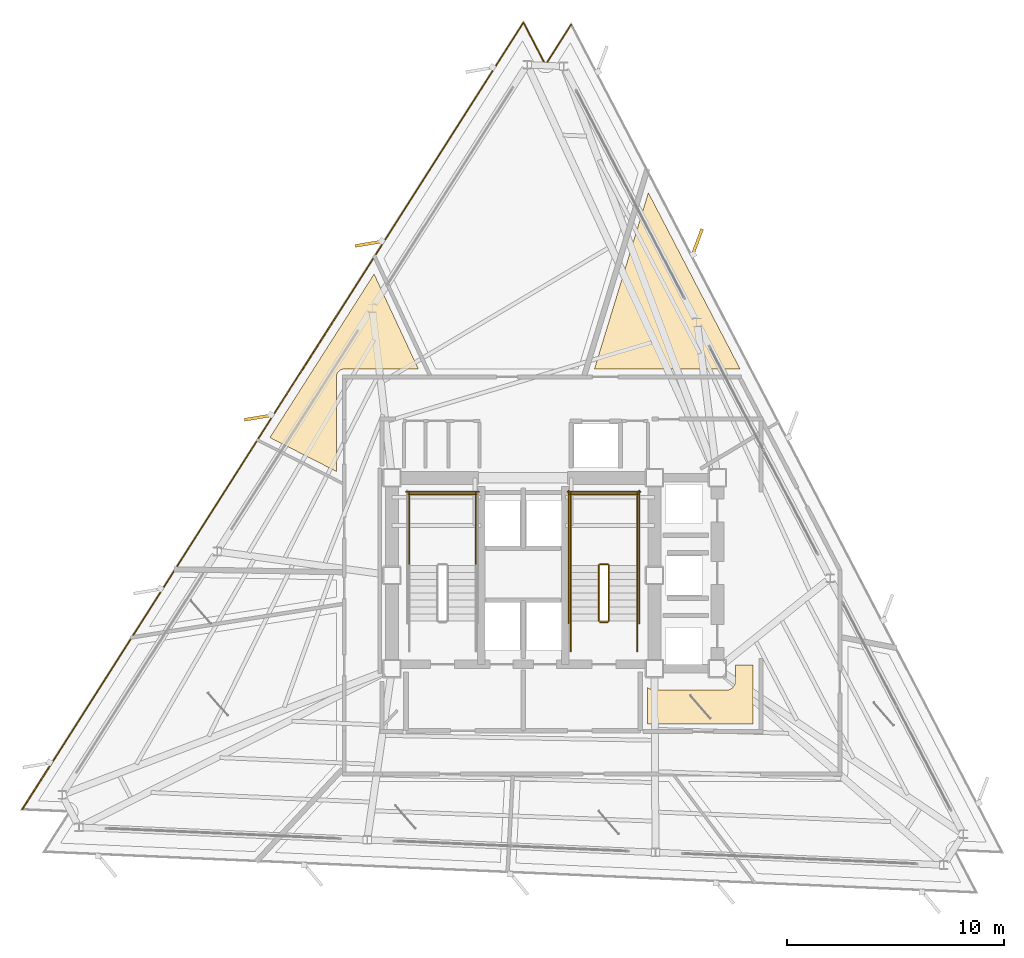
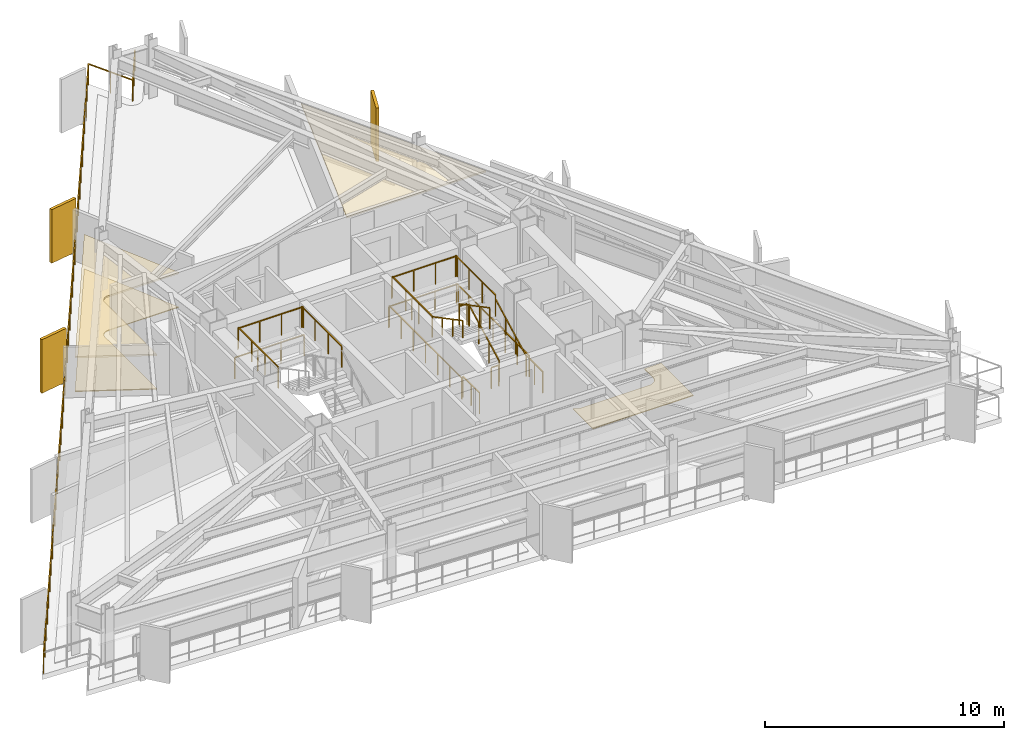
# One storey, part 11 of 12: 19 railings, 4 coverings, 3 shading devices.
"""IFC4 building model written with IfcOpenShell, lengths in metres."""

from ifc_helpers import new_model, si_unit, direction, frame, origin, origin_2d, place, context, subcontext, project, spatial, polyline, rectangle, outline, extrude, material, layer, layer_set, type_object, element, save


model = new_model("IFC4")

# Units and contexts
model_context = context("Model", 3, precision=1e-05, world=origin(), true_north=direction((0.0, 1.0)))
body_context = subcontext(model_context, "Body", "Model", "MODEL_VIEW")
ifc_project = project(units=[si_unit("LENGTHUNIT", "METRE"), si_unit("AREAUNIT", "SQUARE_METRE"), si_unit("VOLUMEUNIT", "CUBIC_METRE"), si_unit("PLANEANGLEUNIT", "RADIAN"), si_unit("MASSUNIT", "GRAM", prefix="KILO")], contexts=[model_context])

# Site, building, storey
site_placement = place(None, origin())
site = spatial("IfcSite", under=ifc_project, at=site_placement, CompositionType="ELEMENT")
building_placement = place(site_placement, origin())
building = spatial("IfcBuilding", under=site, at=building_placement, Name="Rocaltana Carrier Exchange", CompositionType="ELEMENT")
storey_placement = place(building_placement, frame((0.0, 0.0, 144.159912109375)))
storey = spatial("IfcBuildingStorey", under=building, at=storey_placement, Name="L45", CompositionType="ELEMENT", Elevation=144.159912109375)

# Coverings
ifc_material_1 = material(Name="Honed Bogota Sandstone Tile", Category="masonry")
ifc_layer_1 = layer(ifc_material_1, 0.0400390625)
ifc_layer_set_1 = layer_set([ifc_layer_1], Name="Honed Bogota Sandstone Tile")
covering_type_1 = type_object("IfcCoveringType", Name="Honed Stone Lobby Flooring 40", PredefinedType="FLOORING", material=ifc_layer_set_1)
covering_1_placement = place(storey_placement, origin())
element("IfcCovering", 1, at=covering_1_placement, inside=storey, type_object=covering_type_1, Name="L45 Peering Conference Room Finish Floor", PredefinedType="FLOORING", context=body_context, shape_type="SweptSolid", body=[
    extrude(outline(polyline([(5.739990234375, -6.840087890625), (5.739990234375, -5.161865234375), (5.748779296875, -5.170654296875), (5.760498046875, -5.18115234375), (5.78173828125, -5.198486328125), (5.794189453125, -5.2080078125), (5.817138671875, -5.22314453125), (5.83056640625, -5.231201171875), (5.85498046875, -5.244140625), (5.869140625, -5.2509765625), (5.894287109375, -5.261474609375), (5.9091796875, -5.2666015625), (5.935546875, -5.274658203125), (5.95068359375, -5.278564453125), (5.977783203125, -5.283935546875), (5.9931640625, -5.2861328125), (6.0205078125, -5.288818359375), (6.036376953125, -5.289794921875), (6.050048828125, -5.2900390625), (9.35009765625, -5.2900390625), (9.36376953125, -5.289794921875), (9.37939453125, -5.288818359375), (9.40673828125, -5.2861328125), (9.42236328125, -5.283935546875), (9.44921875, -5.278564453125), (9.464599609375, -5.274658203125), (9.49072265625, -5.2666015625), (9.505615234375, -5.261474609375), (9.531005859375, -5.2509765625), (9.545166015625, -5.244140625), (9.5693359375, -5.231201171875), (9.582763671875, -5.22314453125), (9.605712890625, -5.2080078125), (9.618408203125, -5.198486328125), (9.639404296875, -5.18115234375), (9.651123046875, -5.170654296875), (9.670654296875, -5.151123046875), (9.68115234375, -5.139404296875), (9.698486328125, -5.118408203125), (9.7080078125, -5.105712890625), (9.72314453125, -5.082763671875), (9.731201171875, -5.0693359375), (9.744140625, -5.045166015625), (9.7509765625, -5.031005859375), (9.761474609375, -5.005615234375), (9.7666015625, -4.99072265625), (9.774658203125, -4.964599609375), (9.778564453125, -4.94921875), (9.783935546875, -4.92236328125), (9.7861328125, -4.90673828125), (9.788818359375, -4.87939453125), (9.789794921875, -4.86376953125), (9.7900390625, -4.85009765625), (9.7900390625, -4.139892578125), (10.60009765625, -4.139892578125), (10.60009765625, -6.840087890625), (5.739990234375, -6.840087890625)])), origin(), (0.0, 0.0, 1.0), 0.0400390625),
])
covering_2_placement = place(storey_placement, origin())
element("IfcCovering", 2, at=covering_2_placement, inside=storey, type_object=covering_type_1, Name="L45 Client Reception Foyer Finish Floor", PredefinedType="FLOORING", context=body_context, shape_type="SweptSolid", body=[
    extrude(outline(polyline([(-6.874267578125, 13.89013671875), (-4.831787109375, 9.510009765625), (-8.25, 9.510009765625), (-8.263671875, 9.509765625), (-8.271484375, 9.50927734375), (-8.298828125, 9.506591796875), (-8.306640625, 9.50537109375), (-8.33349609375, 9.5), (-8.34130859375, 9.498291015625), (-8.36767578125, 9.490234375), (-8.375, 9.487548828125), (-8.400390625, 9.47705078125), (-8.407470703125, 9.4736328125), (-8.431640625, 9.460693359375), (-8.4384765625, 9.456787109375), (-8.461181640625, 9.44140625), (-8.467529296875, 9.436767578125), (-8.48876953125, 9.419189453125), (-8.49462890625, 9.4140625), (-8.513916015625, 9.39453125), (-8.519287109375, 9.388916015625), (-8.53662109375, 9.367431640625), (-8.54150390625, 9.361083984375), (-8.556640625, 9.33837890625), (-8.560791015625, 9.331787109375), (-8.57373046875, 9.307373046875), (-8.576904296875, 9.30029296875), (-8.58740234375, 9.27490234375), (-8.590087890625, 9.267578125), (-8.59814453125, 9.2412109375), (-8.60009765625, 9.233642578125), (-8.60546875, 9.206787109375), (-8.606689453125, 9.198974609375), (-8.609375, 9.171630859375), (-8.609619140625, 9.163818359375), (-8.610107421875, 9.14990234375), (-8.610107421875, 4.791015625), (-11.67578125, 6.353271484375), (-6.874267578125, 13.89013671875)])), origin(), (0.0, 0.0, 1.0), 0.0400390625),
])
ifc_material_2 = material(Name="Anodised Aluminium 6063-T6", Category="aluminium")
ifc_layer_2 = layer(ifc_material_2, 0.0849609375)
ifc_layer_set_2 = layer_set([ifc_layer_2], Name="Anodised Aluminium 6063-T6")
covering_type_2 = type_object("IfcCoveringType", Name="Linear Baffle Acoustic Ceiling 85", PredefinedType="CEILING", material=ifc_layer_set_2)
covering_3_placement = place(storey_placement, frame((0.0, 0.0, 1.72314453125)))
element("IfcCovering", 3, at=covering_3_placement, inside=storey, type_object=covering_type_2, Name="L45 Carrier Peering Suite Acoustic Ceiling", PredefinedType="CEILING", context=body_context, shape_type="SweptSolid", body=[
    extrude(outline(polyline([(10.000732421875, 9.507568359375), (9.9833984375, 9.50927734375), (9.975341796875, 9.509765625), (9.96142578125, 9.510009765625), (3.283935546875, 9.510009765625), (5.768798828125, 17.63720703125), (10.000732421875, 9.507568359375)])), origin(), (0.0, 0.0, 1.0), 0.0849609375),
])
covering_4_placement = place(storey_placement, frame((0.0, 0.0, 1.72314453125)))
element("IfcCovering", 4, at=covering_4_placement, inside=storey, type_object=covering_type_2, Name="L45 Client Reception Foyer Acoustic Ceiling", PredefinedType="CEILING", context=body_context, shape_type="SweptSolid", body=[
    extrude(outline(polyline([(-6.874267578125, 13.89013671875), (-4.831787109375, 9.510009765625), (-8.25, 9.510009765625), (-8.263671875, 9.509765625), (-8.271484375, 9.50927734375), (-8.298828125, 9.506591796875), (-8.306640625, 9.50537109375), (-8.33349609375, 9.5), (-8.34130859375, 9.498291015625), (-8.36767578125, 9.490234375), (-8.375, 9.487548828125), (-8.400390625, 9.47705078125), (-8.407470703125, 9.4736328125), (-8.431640625, 9.460693359375), (-8.4384765625, 9.456787109375), (-8.461181640625, 9.44140625), (-8.467529296875, 9.436767578125), (-8.48876953125, 9.419189453125), (-8.49462890625, 9.4140625), (-8.513916015625, 9.39453125), (-8.519287109375, 9.388916015625), (-8.53662109375, 9.367431640625), (-8.54150390625, 9.361083984375), (-8.556640625, 9.33837890625), (-8.560791015625, 9.331787109375), (-8.57373046875, 9.307373046875), (-8.576904296875, 9.30029296875), (-8.58740234375, 9.27490234375), (-8.590087890625, 9.267578125), (-8.59814453125, 9.2412109375), (-8.60009765625, 9.233642578125), (-8.60546875, 9.206787109375), (-8.606689453125, 9.198974609375), (-8.609375, 9.171630859375), (-8.609619140625, 9.163818359375), (-8.610107421875, 9.14990234375), (-8.610107421875, 4.791015625), (-11.67578125, 6.353271484375), (-6.874267578125, 13.89013671875)])), origin(), (0.0, 0.0, 1.0), 0.0849609375),
])

# Railings
ifc_material_3 = material(Name="Brushed Architectural Stainless Tube", Category="steel")
ifc_layer_3 = layer(ifc_material_3, 0.048095703125)
ifc_layer_set_3 = layer_set([ifc_layer_3], Name="Brushed Architectural Stainless Tube")
railing_type_1 = type_object("IfcRailingType", Name="Stair Wall Handrail 920", PredefinedType="HANDRAIL", material=ifc_layer_set_3)
railing_1_placement = place(storey_placement, frame((5.25, -2.10009765625, 0.1689453125)))
element("IfcRailing", 5, at=railing_1_placement, inside=storey, type_object=railing_type_1, Name="L45 ST-2 stair handrail 1", PredefinedType="HANDRAIL", context=body_context, shape_type="SweptSolid", body=[
    extrude(rectangle(XDim=0.048095703125, YDim=0.048095703125, at=origin_2d()), frame((0.0, 0.0, 0.8759765625), z_axis=(0.0, 0.884394423565, 0.466740295633), x_axis=(-1.0, 0.0, 0.0)), (0.0, 0.0, 1.0), 2.894775390625),
    extrude(rectangle(XDim=0.0419921875, YDim=0.0419921875, at=origin_2d()), origin(), (0.0, 0.0, 1.0), 0.851806640625),
    extrude(rectangle(XDim=0.0419921875, YDim=0.0419921875, at=origin_2d()), frame((0.0, 0.853271484375, 0.450439453125)), (0.0, 0.0, 1.0), 0.851806640625),
    extrude(rectangle(XDim=0.0419921875, YDim=0.0419921875, at=origin_2d()), frame((0.0, 1.706787109375, 0.900634765625)), (0.0, 0.0, 1.0), 0.851806640625),
    extrude(rectangle(XDim=0.0419921875, YDim=0.0419921875, at=origin_2d()), frame((0.0, 2.56005859375, 1.35107421875)), (0.0, 0.0, 1.0), 0.851806640625),
])
railing_2_placement = place(storey_placement, frame((2.18994140625, 0.4599609375, 1.68896484375)))
element("IfcRailing", 6, at=railing_2_placement, inside=storey, type_object=railing_type_1, Name="L45 ST-2 stair handrail 2", PredefinedType="HANDRAIL", context=body_context, shape_type="SweptSolid", body=[
    extrude(rectangle(XDim=0.048095703125, YDim=0.048095703125, at=origin_2d()), frame((0.0, 0.0, 0.8759765625), z_axis=(0.0, -0.884394423565, 0.466740295633), x_axis=(1.0, 0.0, 0.0)), (0.0, 0.0, 1.0), 2.894775390625),
    extrude(rectangle(XDim=0.0419921875, YDim=0.0419921875, at=origin_2d()), origin(), (0.0, 0.0, 1.0), 0.851806640625),
    extrude(rectangle(XDim=0.0419921875, YDim=0.0419921875, at=origin_2d()), frame((0.0, -0.853271484375, 0.450439453125)), (0.0, 0.0, 1.0), 0.851806640625),
    extrude(rectangle(XDim=0.0419921875, YDim=0.0419921875, at=origin_2d()), frame((0.0, -1.706787109375, 0.900634765625)), (0.0, 0.0, 1.0), 0.851806640625),
    extrude(rectangle(XDim=0.0419921875, YDim=0.0419921875, at=origin_2d()), frame((0.0, -2.56005859375, 1.35107421875)), (0.0, 0.0, 1.0), 0.851806640625),
])
ifc_material_4 = material(Name="Powder-Coated Aluminium 6063-T6", Category="aluminium")
ifc_layer_4 = layer(ifc_material_4, 0.048095703125)
ifc_layer_set_4 = layer_set([ifc_layer_4], Name="Powder-Coated Aluminium 6063-T6")
railing_type_2 = type_object("IfcRailingType", Name="Stair Well Guardrail 1100", PredefinedType="GUARDRAIL", material=ifc_layer_set_4)
for number, where, name in (
    (7, (-2.18994140625, 0.4599609375, 1.52001953125), "L45 ST-1 stair guard 3"),
    (8, (-5.25, 0.4599609375, 1.52001953125), "L45 ST-1 stair guard 4"),
):
    element("IfcRailing", number, at=place(storey_placement, frame(where)), inside=storey, type_object=railing_type_2, Name=name, PredefinedType="GUARDRAIL", context=body_context, shape_type="SweptSolid", body=[
        extrude(rectangle(XDim=0.048095703125, YDim=0.048095703125, at=origin_2d()), frame((0.0, 0.0, 1.076171875), z_axis=(0.0, 1.0, 0.0), x_axis=(-1.0, 0.0, 0.0)), (0.0, 0.0, 1.0), 3.340087890625),
        extrude(rectangle(XDim=0.0419921875, YDim=0.0419921875, at=origin_2d()), origin(), (0.0, 0.0, 1.0), 1.052001953125),
        extrude(rectangle(XDim=0.0419921875, YDim=0.0419921875, at=origin_2d()), frame((0.0, 1.11328125, 0.0)), (0.0, 0.0, 1.0), 1.052001953125),
        extrude(rectangle(XDim=0.0419921875, YDim=0.0419921875, at=origin_2d()), frame((0.0, 2.226806640625, 0.0)), (0.0, 0.0, 1.0), 1.052001953125),
        extrude(rectangle(XDim=0.0419921875, YDim=0.0419921875, at=origin_2d()), frame((0.0, 3.340087890625, 0.0)), (0.0, 0.0, 1.0), 1.052001953125),
    ])
railing_3_placement = place(storey_placement, frame((-2.139892578125, 3.75, 1.52001953125)))
element("IfcRailing", 9, at=railing_3_placement, inside=storey, type_object=railing_type_2, Name="L45 ST-1 stair guard 5", PredefinedType="GUARDRAIL", context=body_context, shape_type="SweptSolid", body=[
    extrude(rectangle(XDim=0.048095703125, YDim=0.048095703125, at=origin_2d()), frame((0.0, 0.0, 1.076171875), z_axis=(-1.0, 0.0, 0.0), x_axis=(0.0, -1.0, 0.0)), (0.0, 0.0, 1.0), 3.16015625),
    extrude(rectangle(XDim=0.0419921875, YDim=0.0419921875, at=origin_2d()), origin(), (0.0, 0.0, 1.0), 1.052001953125),
    extrude(rectangle(XDim=0.0419921875, YDim=0.0419921875, at=origin_2d()), frame((-1.053466796875, 0.0, 0.0)), (0.0, 0.0, 1.0), 1.052001953125),
    extrude(rectangle(XDim=0.0419921875, YDim=0.0419921875, at=origin_2d()), frame((-2.106689453125, 0.0, 0.0)), (0.0, 0.0, 1.0), 1.052001953125),
    extrude(rectangle(XDim=0.0419921875, YDim=0.0419921875, at=origin_2d()), frame((-3.16015625, 0.0, 0.0)), (0.0, 0.0, 1.0), 1.052001953125),
])
railing_4_placement = place(storey_placement, frame((-2.0400390625, 3.85009765625, 0.0)))
element("IfcRailing", 10, at=railing_4_placement, inside=storey, type_object=railing_type_2, Name="L45 ST-1 stair guard 12", PredefinedType="GUARDRAIL", context=body_context, shape_type="SweptSolid", body=[
    extrude(rectangle(XDim=0.048095703125, YDim=0.048095703125, at=origin_2d()), frame((0.0, 0.0, 1.076171875), z_axis=(-1.0, 0.0, 0.0), x_axis=(0.0, -1.0, 0.0)), (0.0, 0.0, 1.0), 3.35986328125),
    extrude(rectangle(XDim=0.0419921875, YDim=0.0419921875, at=origin_2d()), origin(), (0.0, 0.0, 1.0), 1.052001953125),
    extrude(rectangle(XDim=0.0419921875, YDim=0.0419921875, at=origin_2d()), frame((-1.119873046875, 0.0, 0.0)), (0.0, 0.0, 1.0), 1.052001953125),
    extrude(rectangle(XDim=0.0419921875, YDim=0.0419921875, at=origin_2d()), frame((-2.239990234375, 0.0, 0.0)), (0.0, 0.0, 1.0), 1.052001953125),
    extrude(rectangle(XDim=0.0419921875, YDim=0.0419921875, at=origin_2d()), frame((-3.35986328125, 0.0, 0.0)), (0.0, 0.0, 1.0), 1.052001953125),
])
railing_5_placement = place(storey_placement, frame((3.949951171875, -2.10009765625, 0.1689453125)))
element("IfcRailing", 11, at=railing_5_placement, inside=storey, type_object=railing_type_2, Name="L45 ST-2 stair guard 1", PredefinedType="GUARDRAIL", context=body_context, shape_type="SweptSolid", body=[
    extrude(rectangle(XDim=0.048095703125, YDim=0.048095703125, at=origin_2d()), frame((0.0, 0.0, 1.076171875), z_axis=(0.0, 0.884394423565, 0.466740295633), x_axis=(-1.0, 0.0, 0.0)), (0.0, 0.0, 1.0), 2.894775390625),
    extrude(rectangle(XDim=0.0419921875, YDim=0.0419921875, at=origin_2d()), origin(), (0.0, 0.0, 1.0), 1.052001953125),
    extrude(rectangle(XDim=0.0419921875, YDim=0.0419921875, at=origin_2d()), frame((0.0, 0.853271484375, 0.450439453125)), (0.0, 0.0, 1.0), 1.052001953125),
    extrude(rectangle(XDim=0.0419921875, YDim=0.0419921875, at=origin_2d()), frame((0.0, 1.706787109375, 0.900634765625)), (0.0, 0.0, 1.0), 1.052001953125),
    extrude(rectangle(XDim=0.0419921875, YDim=0.0419921875, at=origin_2d()), frame((0.0, 2.56005859375, 1.35107421875)), (0.0, 0.0, 1.0), 1.052001953125),
])
railing_6_placement = place(storey_placement, frame((3.89990234375, 0.510009765625, 1.52001953125)))
element("IfcRailing", 12, at=railing_6_placement, inside=storey, type_object=railing_type_2, Name="L45 ST-2 stair guard 2", PredefinedType="GUARDRAIL", context=body_context, shape_type="SweptSolid", body=[
    extrude(rectangle(XDim=0.048095703125, YDim=0.048095703125, at=origin_2d()), frame((0.0, 0.0, 1.076171875), z_axis=(-1.0, 0.0, 0.0), x_axis=(0.0, -1.0, 0.0)), (0.0, 0.0, 1.0), 0.35986328125),
    extrude(rectangle(XDim=0.0419921875, YDim=0.0419921875, at=origin_2d()), origin(), (0.0, 0.0, 1.0), 1.052001953125),
    extrude(rectangle(XDim=0.0419921875, YDim=0.0419921875, at=origin_2d()), frame((-0.35986328125, 0.0, 0.0)), (0.0, 0.0, 1.0), 1.052001953125),
])
for number, where, name in (
    (13, (5.25, 0.4599609375, 1.52001953125), "L45 ST-2 stair guard 3"),
    (14, (2.18994140625, 0.4599609375, 1.52001953125), "L45 ST-2 stair guard 4"),
):
    element("IfcRailing", number, at=place(storey_placement, frame(where)), inside=storey, type_object=railing_type_2, Name=name, PredefinedType="GUARDRAIL", context=body_context, shape_type="SweptSolid", body=[
        extrude(rectangle(XDim=0.048095703125, YDim=0.048095703125, at=origin_2d()), frame((0.0, 0.0, 1.076171875), z_axis=(0.0, 1.0, 0.0), x_axis=(-1.0, 0.0, 0.0)), (0.0, 0.0, 1.0), 3.340087890625),
        extrude(rectangle(XDim=0.0419921875, YDim=0.0419921875, at=origin_2d()), origin(), (0.0, 0.0, 1.0), 1.052001953125),
        extrude(rectangle(XDim=0.0419921875, YDim=0.0419921875, at=origin_2d()), frame((0.0, 1.11328125, 0.0)), (0.0, 0.0, 1.0), 1.052001953125),
        extrude(rectangle(XDim=0.0419921875, YDim=0.0419921875, at=origin_2d()), frame((0.0, 2.226806640625, 0.0)), (0.0, 0.0, 1.0), 1.052001953125),
        extrude(rectangle(XDim=0.0419921875, YDim=0.0419921875, at=origin_2d()), frame((0.0, 3.340087890625, 0.0)), (0.0, 0.0, 1.0), 1.052001953125),
    ])
railing_7_placement = place(storey_placement, frame((5.300048828125, 3.75, 1.52001953125)))
element("IfcRailing", 15, at=railing_7_placement, inside=storey, type_object=railing_type_2, Name="L45 ST-2 stair guard 5", PredefinedType="GUARDRAIL", context=body_context, shape_type="SweptSolid", body=[
    extrude(rectangle(XDim=0.048095703125, YDim=0.048095703125, at=origin_2d()), frame((0.0, 0.0, 1.076171875), z_axis=(-1.0, 0.0, 0.0), x_axis=(0.0, -1.0, 0.0)), (0.0, 0.0, 1.0), 3.16015625),
    extrude(rectangle(XDim=0.0419921875, YDim=0.0419921875, at=origin_2d()), origin(), (0.0, 0.0, 1.0), 1.052001953125),
    extrude(rectangle(XDim=0.0419921875, YDim=0.0419921875, at=origin_2d()), frame((-1.053466796875, 0.0, 0.0)), (0.0, 0.0, 1.0), 1.052001953125),
    extrude(rectangle(XDim=0.0419921875, YDim=0.0419921875, at=origin_2d()), frame((-2.106689453125, 0.0, 0.0)), (0.0, 0.0, 1.0), 1.052001953125),
    extrude(rectangle(XDim=0.0419921875, YDim=0.0419921875, at=origin_2d()), frame((-3.16015625, 0.0, 0.0)), (0.0, 0.0, 1.0), 1.052001953125),
])
railing_8_placement = place(storey_placement, frame((3.489990234375, 0.4599609375, 1.68896484375)))
element("IfcRailing", 16, at=railing_8_placement, inside=storey, type_object=railing_type_2, Name="L45 ST-2 stair guard 6", PredefinedType="GUARDRAIL", context=body_context, shape_type="SweptSolid", body=[
    extrude(rectangle(XDim=0.048095703125, YDim=0.048095703125, at=origin_2d()), frame((0.0, 0.0, 1.076171875), z_axis=(0.0, -0.884394423565, 0.466740295633), x_axis=(1.0, 0.0, 0.0)), (0.0, 0.0, 1.0), 2.894775390625),
    extrude(rectangle(XDim=0.0419921875, YDim=0.0419921875, at=origin_2d()), origin(), (0.0, 0.0, 1.0), 1.052001953125),
    extrude(rectangle(XDim=0.0419921875, YDim=0.0419921875, at=origin_2d()), frame((0.0, -0.853271484375, 0.450439453125)), (0.0, 0.0, 1.0), 1.052001953125),
    extrude(rectangle(XDim=0.0419921875, YDim=0.0419921875, at=origin_2d()), frame((0.0, -1.706787109375, 0.900634765625)), (0.0, 0.0, 1.0), 1.052001953125),
    extrude(rectangle(XDim=0.0419921875, YDim=0.0419921875, at=origin_2d()), frame((0.0, -2.56005859375, 1.35107421875)), (0.0, 0.0, 1.0), 1.052001953125),
])
railing_9_placement = place(storey_placement, frame((3.89990234375, -2.14990234375, 0.0)))
element("IfcRailing", 17, at=railing_9_placement, inside=storey, type_object=railing_type_2, Name="L45 ST-2 stair guard 7", PredefinedType="GUARDRAIL", context=body_context, shape_type="SweptSolid", body=[
    extrude(rectangle(XDim=0.048095703125, YDim=0.048095703125, at=origin_2d()), frame((0.0, 0.0, 1.076171875), z_axis=(-1.0, 0.0, 0.0), x_axis=(0.0, -1.0, 0.0)), (0.0, 0.0, 1.0), 0.35986328125),
    extrude(rectangle(XDim=0.0419921875, YDim=0.0419921875, at=origin_2d()), origin(), (0.0, 0.0, 1.0), 1.052001953125),
    extrude(rectangle(XDim=0.0419921875, YDim=0.0419921875, at=origin_2d()), frame((-0.35986328125, 0.0, 0.0)), (0.0, 0.0, 1.0), 1.052001953125),
])
for number, where, name in (
    (18, (5.25, -3.5, 0.0), "L45 ST-2 stair guard 8"),
    (19, (2.18994140625, -3.5, 0.0), "L45 ST-2 stair guard 9"),
):
    element("IfcRailing", number, at=place(storey_placement, frame(where)), inside=storey, type_object=railing_type_2, Name=name, PredefinedType="GUARDRAIL", context=body_context, shape_type="SweptSolid", body=[
        extrude(rectangle(XDim=0.048095703125, YDim=0.048095703125, at=origin_2d()), frame((0.0, 0.0, 1.076171875), z_axis=(0.0, 1.0, 0.0), x_axis=(-1.0, 0.0, 0.0)), (0.0, 0.0, 1.0), 1.39990234375),
        extrude(rectangle(XDim=0.0419921875, YDim=0.0419921875, at=origin_2d()), origin(), (0.0, 0.0, 1.0), 1.052001953125),
        extrude(rectangle(XDim=0.0419921875, YDim=0.0419921875, at=origin_2d()), frame((0.0, 0.699951171875, 0.0)), (0.0, 0.0, 1.0), 1.052001953125),
        extrude(rectangle(XDim=0.0419921875, YDim=0.0419921875, at=origin_2d()), frame((0.0, 1.39990234375, 0.0)), (0.0, 0.0, 1.0), 1.052001953125),
    ])
for number, where, name in (
    (20, (5.35009765625, -2.199951171875, 0.0), "L45 ST-2 stair guard 10"),
    (21, (2.090087890625, -2.199951171875, 0.0), "L45 ST-2 stair guard 11"),
):
    element("IfcRailing", number, at=place(storey_placement, frame(where)), inside=storey, type_object=railing_type_2, Name=name, PredefinedType="GUARDRAIL", context=body_context, shape_type="SweptSolid", body=[
        extrude(rectangle(XDim=0.048095703125, YDim=0.048095703125, at=origin_2d()), frame((0.0, 0.0, 1.076171875), z_axis=(0.0, 1.0, 0.0), x_axis=(-1.0, 0.0, 0.0)), (0.0, 0.0, 1.0), 6.099853515625),
        extrude(rectangle(XDim=0.0419921875, YDim=0.0419921875, at=origin_2d()), origin(), (0.0, 0.0, 1.0), 1.052001953125),
        extrude(rectangle(XDim=0.0419921875, YDim=0.0419921875, at=origin_2d()), frame((0.0, 1.0166015625, 0.0)), (0.0, 0.0, 1.0), 1.052001953125),
        extrude(rectangle(XDim=0.0419921875, YDim=0.0419921875, at=origin_2d()), frame((0.0, 2.033203125, 0.0)), (0.0, 0.0, 1.0), 1.052001953125),
        extrude(rectangle(XDim=0.0419921875, YDim=0.0419921875, at=origin_2d()), frame((0.0, 3.0498046875, 0.0)), (0.0, 0.0, 1.0), 1.052001953125),
        extrude(rectangle(XDim=0.0419921875, YDim=0.0419921875, at=origin_2d()), frame((0.0, 4.066650390625, 0.0)), (0.0, 0.0, 1.0), 1.052001953125),
        extrude(rectangle(XDim=0.0419921875, YDim=0.0419921875, at=origin_2d()), frame((0.0, 5.083251953125, 0.0)), (0.0, 0.0, 1.0), 1.052001953125),
        extrude(rectangle(XDim=0.0419921875, YDim=0.0419921875, at=origin_2d()), frame((0.0, 6.099853515625, 0.0)), (0.0, 0.0, 1.0), 1.052001953125),
    ])
railing_10_placement = place(storey_placement, frame((5.39990234375, 3.85009765625, 0.0)))
element("IfcRailing", 22, at=railing_10_placement, inside=storey, type_object=railing_type_2, Name="L45 ST-2 stair guard 12", PredefinedType="GUARDRAIL", context=body_context, shape_type="SweptSolid", body=[
    extrude(rectangle(XDim=0.048095703125, YDim=0.048095703125, at=origin_2d()), frame((0.0, 0.0, 1.076171875), z_axis=(-1.0, 0.0, 0.0), x_axis=(0.0, -1.0, 0.0)), (0.0, 0.0, 1.0), 3.35986328125),
    extrude(rectangle(XDim=0.0419921875, YDim=0.0419921875, at=origin_2d()), origin(), (0.0, 0.0, 1.0), 1.052001953125),
    extrude(rectangle(XDim=0.0419921875, YDim=0.0419921875, at=origin_2d()), frame((-1.119873046875, 0.0, 0.0)), (0.0, 0.0, 1.0), 1.052001953125),
    extrude(rectangle(XDim=0.0419921875, YDim=0.0419921875, at=origin_2d()), frame((-2.239990234375, 0.0, 0.0)), (0.0, 0.0, 1.0), 1.052001953125),
    extrude(rectangle(XDim=0.0419921875, YDim=0.0419921875, at=origin_2d()), frame((-3.35986328125, 0.0, 0.0)), (0.0, 0.0, 1.0), 1.052001953125),
])

# Shading devices
ifc_material_5 = material(Name="Honed Bogota Sandstone & Concrete C45/55", Category="masonry")
ifc_layer_5 = layer(ifc_material_5, 0.139892578125)
ifc_layer_set_5 = layer_set([ifc_layer_5], Name="Honed Bogota Sandstone & Concrete C45/55")
shading_device_type = type_object("IfcShadingDeviceType", Name="Vertical Sandstone Shading Fin 1320x140", PredefinedType="USERDEFINED", material=ifc_layer_set_5)
for number, where, z_axis, x_axis, name in (
    (23, (8.018798828125, 15.352294921875, -0.1201171875), (0.0, 0.0, 1.0), (0.350207381259, 0.936672189248, 0.0), "L45 Sandstone Vertical Fin F1-04"),
    (24, (-7.09619140625, 15.29296875, -0.1201171875), (0.0, 0.0, 1.0), (-0.986285601537, -0.165047605861, 0.0), "L45 Sandstone Vertical Fin F2-02"),
    (25, (-12.200439453125, 7.28076171875, -0.1201171875), (0.0, 0.0, 1.0), (-0.986285601537, -0.165047605861, 0.0), "L45 Sandstone Vertical Fin F2-03"),
):
    element("IfcShadingDevice", number, at=place(storey_placement, frame(where, z_axis=z_axis, x_axis=x_axis)), inside=storey, type_object=shading_device_type, Name=name, ObjectType="FIN", PredefinedType="USERDEFINED", context=body_context, shape_type="SweptSolid", body=[
        extrude(rectangle(XDim=1.320068359375, YDim=0.139892578125, at=origin_2d()), origin(), (0.0, 0.0, 1.0), 2.738037109375),
    ])

# Railing
ifc_material_6 = material(Name="Powder-Coated Aluminium 6063-T6", Category="aluminium")
ifc_layer_6 = layer(ifc_material_6, 0.06005859375)
ifc_layer_set_6 = layer_set([ifc_layer_6], Name="Powder-Coated Aluminium 6063-T6")
railing_type_3 = type_object("IfcRailingType", Name="Wind-Floor & Terrace Perimeter Guardrail 1100", PredefinedType="GUARDRAIL", material=ifc_layer_set_6)
railing_11_placement = place(storey_placement, frame((-23.08837890625, -10.77880859375, 0.0)))
element("IfcRailing", 26, at=railing_11_placement, inside=storey, type_object=railing_type_3, Name="L45 Perimeter Balcony Guardrail 2", PredefinedType="GUARDRAIL", context=body_context, shape_type="SweptSolid", body=[
    extrude(rectangle(XDim=0.048095703125, YDim=0.048095703125, at=origin_2d()), frame((0.0, 0.0, 1.076171875), z_axis=(0.537302027916, 0.843389904373, 0.0), x_axis=(-0.843389904373, 0.537302027916, 0.0)), (0.0, 0.0, 1.0), 42.9921875),
    extrude(rectangle(XDim=0.048095703125, YDim=0.048095703125, at=origin_2d()), frame((23.099853515625, 36.25927734375, 1.076171875), z_axis=(0.46171255631, -0.887029602294, 0.0), x_axis=(0.887029602294, 0.46171255631, 0.0)), (0.0, 0.0, 1.0), 2.2001953125),
    extrude(rectangle(XDim=0.048095703125, YDim=0.048095703125, at=origin_2d()), frame((24.11572265625, 34.3076171875, 1.076171875), z_axis=(0.537270321913, 0.843410102614, 0.0), x_axis=(-0.843410102614, 0.537270321913, 0.0)), (0.0, 0.0, 1.0), 2.2001953125),
    extrude(rectangle(XDim=0.0419921875, YDim=0.0419921875, at=origin_2d()), origin(), (0.0, 0.0, 1.0), 1.052001953125),
    extrude(rectangle(XDim=0.0419921875, YDim=0.0419921875, at=origin_2d()), frame((0.6416015625, 1.00732421875, 0.0)), (0.0, 0.0, 1.0), 1.052001953125),
    extrude(rectangle(XDim=0.0419921875, YDim=0.0419921875, at=origin_2d()), frame((1.283203125, 2.014404296875, 0.0)), (0.0, 0.0, 1.0), 1.052001953125),
    extrude(rectangle(XDim=0.0419921875, YDim=0.0419921875, at=origin_2d()), frame((1.925048828125, 3.021484375, 0.0)), (0.0, 0.0, 1.0), 1.052001953125),
    extrude(rectangle(XDim=0.0419921875, YDim=0.0419921875, at=origin_2d()), frame((2.566650390625, 4.02880859375, 0.0)), (0.0, 0.0, 1.0), 1.052001953125),
    extrude(rectangle(XDim=0.0419921875, YDim=0.0419921875, at=origin_2d()), frame((3.208251953125, 5.0361328125, 0.0)), (0.0, 0.0, 1.0), 1.052001953125),
    extrude(rectangle(XDim=0.0419921875, YDim=0.0419921875, at=origin_2d()), frame((3.85009765625, 6.043212890625, 0.0)), (0.0, 0.0, 1.0), 1.052001953125),
    extrude(rectangle(XDim=0.0419921875, YDim=0.0419921875, at=origin_2d()), frame((4.49169921875, 7.05029296875, 0.0)), (0.0, 0.0, 1.0), 1.052001953125),
    extrude(rectangle(XDim=0.0419921875, YDim=0.0419921875, at=origin_2d()), frame((5.13330078125, 8.0576171875, 0.0)), (0.0, 0.0, 1.0), 1.052001953125),
    extrude(rectangle(XDim=0.0419921875, YDim=0.0419921875, at=origin_2d()), frame((5.77490234375, 9.06494140625, 0.0)), (0.0, 0.0, 1.0), 1.052001953125),
    extrude(rectangle(XDim=0.0419921875, YDim=0.0419921875, at=origin_2d()), frame((6.41650390625, 10.072021484375, 0.0)), (0.0, 0.0, 1.0), 1.052001953125),
    extrude(rectangle(XDim=0.0419921875, YDim=0.0419921875, at=origin_2d()), frame((7.058349609375, 11.079345703125, 0.0)), (0.0, 0.0, 1.0), 1.052001953125),
    extrude(rectangle(XDim=0.0419921875, YDim=0.0419921875, at=origin_2d()), frame((7.699951171875, 12.08642578125, 0.0)), (0.0, 0.0, 1.0), 1.052001953125),
    extrude(rectangle(XDim=0.0419921875, YDim=0.0419921875, at=origin_2d()), frame((8.341552734375, 13.09375, 0.0)), (0.0, 0.0, 1.0), 1.052001953125),
    extrude(rectangle(XDim=0.0419921875, YDim=0.0419921875, at=origin_2d()), frame((8.9833984375, 14.100830078125, 0.0)), (0.0, 0.0, 1.0), 1.052001953125),
    extrude(rectangle(XDim=0.0419921875, YDim=0.0419921875, at=origin_2d()), frame((9.625, 15.10791015625, 0.0)), (0.0, 0.0, 1.0), 1.052001953125),
    extrude(rectangle(XDim=0.0419921875, YDim=0.0419921875, at=origin_2d()), frame((10.2666015625, 16.115234375, 0.0)), (0.0, 0.0, 1.0), 1.052001953125),
    extrude(rectangle(XDim=0.0419921875, YDim=0.0419921875, at=origin_2d()), frame((10.908203125, 17.12255859375, 0.0)), (0.0, 0.0, 1.0), 1.052001953125),
    extrude(rectangle(XDim=0.0419921875, YDim=0.0419921875, at=origin_2d()), frame((11.5498046875, 18.129638671875, 0.0)), (0.0, 0.0, 1.0), 1.052001953125),
    extrude(rectangle(XDim=0.0419921875, YDim=0.0419921875, at=origin_2d()), frame((12.191650390625, 19.13671875, 0.0)), (0.0, 0.0, 1.0), 1.052001953125),
    extrude(rectangle(XDim=0.0419921875, YDim=0.0419921875, at=origin_2d()), frame((12.833251953125, 20.14404296875, 0.0)), (0.0, 0.0, 1.0), 1.052001953125),
    extrude(rectangle(XDim=0.0419921875, YDim=0.0419921875, at=origin_2d()), frame((13.474853515625, 21.1513671875, 0.0)), (0.0, 0.0, 1.0), 1.052001953125),
    extrude(rectangle(XDim=0.0419921875, YDim=0.0419921875, at=origin_2d()), frame((14.11669921875, 22.158447265625, 0.0)), (0.0, 0.0, 1.0), 1.052001953125),
    extrude(rectangle(XDim=0.0419921875, YDim=0.0419921875, at=origin_2d()), frame((14.75830078125, 23.16552734375, 0.0)), (0.0, 0.0, 1.0), 1.052001953125),
    extrude(rectangle(XDim=0.0419921875, YDim=0.0419921875, at=origin_2d()), frame((15.39990234375, 24.1728515625, 0.0)), (0.0, 0.0, 1.0), 1.052001953125),
    extrude(rectangle(XDim=0.0419921875, YDim=0.0419921875, at=origin_2d()), frame((16.04150390625, 25.18017578125, 0.0)), (0.0, 0.0, 1.0), 1.052001953125),
    extrude(rectangle(XDim=0.0419921875, YDim=0.0419921875, at=origin_2d()), frame((16.68310546875, 26.187255859375, 0.0)), (0.0, 0.0, 1.0), 1.052001953125),
    extrude(rectangle(XDim=0.0419921875, YDim=0.0419921875, at=origin_2d()), frame((17.324951171875, 27.1943359375, 0.0)), (0.0, 0.0, 1.0), 1.052001953125),
    extrude(rectangle(XDim=0.0419921875, YDim=0.0419921875, at=origin_2d()), frame((17.966552734375, 28.20166015625, 0.0)), (0.0, 0.0, 1.0), 1.052001953125),
    extrude(rectangle(XDim=0.0419921875, YDim=0.0419921875, at=origin_2d()), frame((18.608154296875, 29.208984375, 0.0)), (0.0, 0.0, 1.0), 1.052001953125),
    extrude(rectangle(XDim=0.0419921875, YDim=0.0419921875, at=origin_2d()), frame((19.25, 30.216064453125, 0.0)), (0.0, 0.0, 1.0), 1.052001953125),
    extrude(rectangle(XDim=0.0419921875, YDim=0.0419921875, at=origin_2d()), frame((19.8916015625, 31.223388671875, 0.0)), (0.0, 0.0, 1.0), 1.052001953125),
    extrude(rectangle(XDim=0.0419921875, YDim=0.0419921875, at=origin_2d()), frame((20.533203125, 32.23046875, 0.0)), (0.0, 0.0, 1.0), 1.052001953125),
    extrude(rectangle(XDim=0.0419921875, YDim=0.0419921875, at=origin_2d()), frame((21.1748046875, 33.23779296875, 0.0)), (0.0, 0.0, 1.0), 1.052001953125),
    extrude(rectangle(XDim=0.0419921875, YDim=0.0419921875, at=origin_2d()), frame((21.81640625, 34.244873046875, 0.0)), (0.0, 0.0, 1.0), 1.052001953125),
    extrude(rectangle(XDim=0.0419921875, YDim=0.0419921875, at=origin_2d()), frame((22.458251953125, 35.251953125, 0.0)), (0.0, 0.0, 1.0), 1.052001953125),
    extrude(rectangle(XDim=0.0419921875, YDim=0.0419921875, at=origin_2d()), frame((23.099853515625, 36.25927734375, 0.0)), (0.0, 0.0, 1.0), 1.052001953125),
    extrude(rectangle(XDim=0.0419921875, YDim=0.0419921875, at=origin_2d()), frame((23.60791015625, 35.283447265625, 0.0)), (0.0, 0.0, 1.0), 1.052001953125),
    extrude(rectangle(XDim=0.0419921875, YDim=0.0419921875, at=origin_2d()), frame((24.11572265625, 34.3076171875, 0.0)), (0.0, 0.0, 1.0), 1.052001953125),
    extrude(rectangle(XDim=0.0419921875, YDim=0.0419921875, at=origin_2d()), frame((24.706787109375, 35.2353515625, 0.0)), (0.0, 0.0, 1.0), 1.052001953125),
    extrude(rectangle(XDim=0.0419921875, YDim=0.0419921875, at=origin_2d()), frame((25.2978515625, 36.163330078125, 0.0)), (0.0, 0.0, 1.0), 1.052001953125),
])

save(model, "model.ifc")
